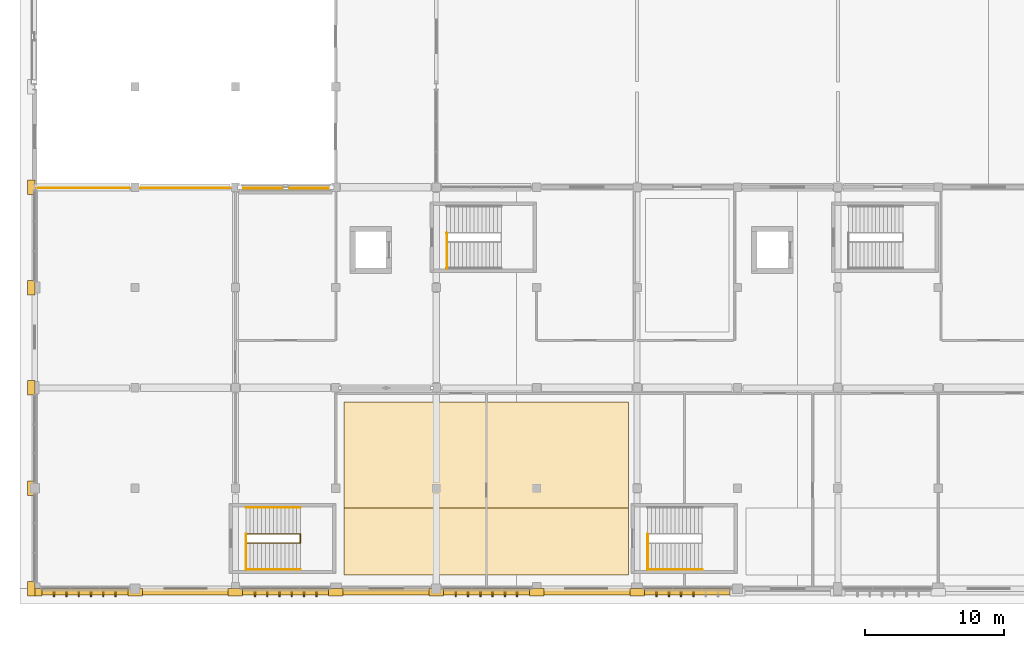
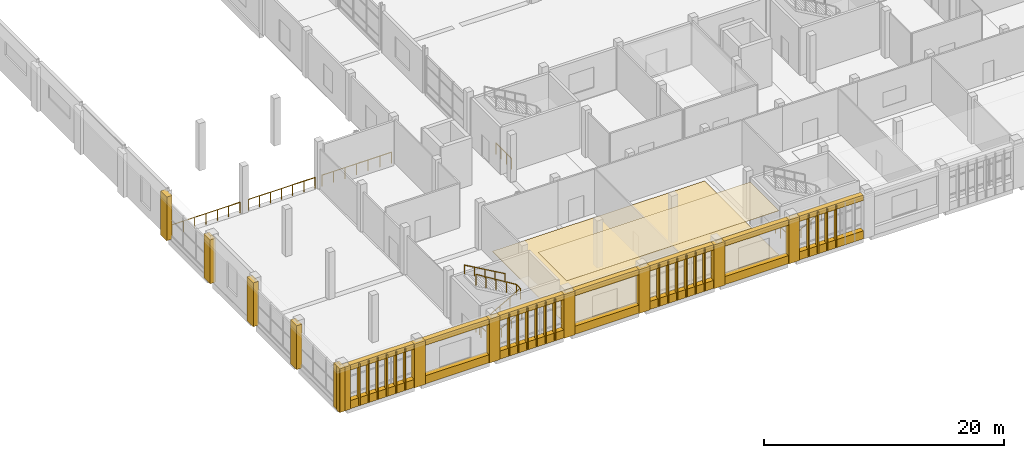
# One storey, part 68 of 82: 50 coverings, 10 railings.
"""IFC4 building model written with IfcOpenShell, lengths in metres."""

from ifc_helpers import new_model, si_unit, direction, frame, origin, origin_2d, place, context, subcontext, project, spatial, polyline, rectangle, circle, outline, extrude, material, layer, layer_set, type_object, element, save


model = new_model("IFC4")

# Units and contexts
model_context = context("Model", 3, precision=1e-05, world=origin(), true_north=direction((0.0, 1.0)))
body_context = subcontext(model_context, "Body", "Model", "MODEL_VIEW")
ifc_project = project(units=[si_unit("LENGTHUNIT", "METRE"), si_unit("AREAUNIT", "SQUARE_METRE"), si_unit("VOLUMEUNIT", "CUBIC_METRE"), si_unit("PLANEANGLEUNIT", "RADIAN"), si_unit("MASSUNIT", "GRAM", prefix="KILO")], contexts=[model_context])

# Site, building, storey
site_placement = place(None, origin())
site = spatial("IfcSite", under=ifc_project, at=site_placement, CompositionType="ELEMENT")
building_placement = place(site_placement, origin())
building = spatial("IfcBuilding", under=site, at=building_placement, Name="Sardonyx Promenade Sports Hall", CompositionType="ELEMENT")
storey_placement = place(building_placement, frame((0.0, 0.0, 11.199951171875)))
storey = spatial("IfcBuildingStorey", under=building, at=storey_placement, Name="L02", CompositionType="ELEMENT", Elevation=11.199951171875)

# Coverings
ifc_material_1 = material(Name="Perforated acoustic mineral-fibre baffle ceiling", Category="other")
ifc_layer_1 = layer(ifc_material_1, 0.0400390625)
ifc_layer_set_1 = layer_set([ifc_layer_1], Name="Cov_Ceil_Acoustic")
covering_type_1 = type_object("IfcCoveringType", Name="Cov_Ceil_Acoustic", PredefinedType="CEILING", material=ifc_layer_set_1)
covering_1_placement = place(storey_placement, frame((0.0, 0.0, 4.489990234375)))
element("IfcCovering", 1, at=covering_1_placement, inside=storey, type_object=covering_type_1, Name="Acoustic baffle ceiling CLG1 L02 #15", PredefinedType="CEILING", context=body_context, shape_type="SweptSolid", body=[
    extrude(outline(polyline([(22.199951171875, 5.800048828125), (22.199951171875, 1.0), (42.60009765625, 1.0), (42.60009765625, 5.800048828125), (22.199951171875, 5.800048828125)])), origin(), (0.0, 0.0, 1.0), 0.0400390625),
])
ifc_material_2 = material(Name="Dressed Cape red sandstone ashlar", Category="masonry")
ifc_layer_2 = layer(ifc_material_2, 0.06005859375)
ifc_layer_set_2 = layer_set([ifc_layer_2], Name="Cov_Cladding_Sandstone")
covering_type_2 = type_object("IfcCoveringType", Name="Cov_Cladding_Sandstone", PredefinedType="CLADDING", material=ifc_layer_set_2)
covering_2_placement = place(storey_placement, origin())
element("IfcCovering", 2, at=covering_2_placement, inside=storey, type_object=covering_type_2, Name="South sandstone bay pier casing L02 #0", PredefinedType="CLADDING", context=body_context, shape_type="SweptSolid", body=[
    extrude(outline(polyline([(-0.52001953125, -0.52001953125), (0.52001953125, -0.52001953125), (0.52001953125, 0.02001953125), (-0.52001953125, 0.02001953125), (-0.52001953125, -0.52001953125)])), origin(), (0.0, 0.0, 1.0), 4.449951171875),
])
covering_3_placement = place(storey_placement, origin())
element("IfcCovering", 3, at=covering_3_placement, inside=storey, type_object=covering_type_2, Name="South sandstone bay pier casing L02 #1", PredefinedType="CLADDING", context=body_context, shape_type="SweptSolid", body=[
    extrude(outline(polyline([(6.679931640625, -0.52001953125), (7.719970703125, -0.52001953125), (7.719970703125, 0.02001953125), (6.679931640625, 0.02001953125), (6.679931640625, -0.52001953125)])), origin(), (0.0, 0.0, 1.0), 4.449951171875),
])
covering_4_placement = place(storey_placement, origin())
element("IfcCovering", 4, at=covering_4_placement, inside=storey, type_object=covering_type_2, Name="South sandstone bay pier casing L02 #2", PredefinedType="CLADDING", context=body_context, shape_type="SweptSolid", body=[
    extrude(outline(polyline([(13.8798828125, -0.52001953125), (14.919921875, -0.52001953125), (14.919921875, 0.02001953125), (13.8798828125, 0.02001953125), (13.8798828125, -0.52001953125)])), origin(), (0.0, 0.0, 1.0), 4.449951171875),
])
covering_5_placement = place(storey_placement, origin())
element("IfcCovering", 5, at=covering_5_placement, inside=storey, type_object=covering_type_2, Name="South sandstone bay pier casing L02 #3", PredefinedType="CLADDING", context=body_context, shape_type="SweptSolid", body=[
    extrude(outline(polyline([(21.080078125, -0.52001953125), (22.1201171875, -0.52001953125), (22.1201171875, 0.02001953125), (21.080078125, 0.02001953125), (21.080078125, -0.52001953125)])), origin(), (0.0, 0.0, 1.0), 4.449951171875),
])
covering_6_placement = place(storey_placement, origin())
element("IfcCovering", 6, at=covering_6_placement, inside=storey, type_object=covering_type_2, Name="South sandstone bay pier casing L02 #4", PredefinedType="CLADDING", context=body_context, shape_type="SweptSolid", body=[
    extrude(outline(polyline([(28.280029296875, -0.52001953125), (29.320068359375, -0.52001953125), (29.320068359375, 0.02001953125), (28.280029296875, 0.02001953125), (28.280029296875, -0.52001953125)])), origin(), (0.0, 0.0, 1.0), 4.449951171875),
])
covering_7_placement = place(storey_placement, origin())
element("IfcCovering", 7, at=covering_7_placement, inside=storey, type_object=covering_type_2, Name="South sandstone bay pier casing L02 #5", PredefinedType="CLADDING", context=body_context, shape_type="SweptSolid", body=[
    extrude(outline(polyline([(35.47998046875, -0.52001953125), (36.52001953125, -0.52001953125), (36.52001953125, 0.02001953125), (35.47998046875, 0.02001953125), (35.47998046875, -0.52001953125)])), origin(), (0.0, 0.0, 1.0), 4.449951171875),
])
covering_8_placement = place(storey_placement, origin())
element("IfcCovering", 8, at=covering_8_placement, inside=storey, type_object=covering_type_2, Name="South sandstone bay pier casing L02 #6", PredefinedType="CLADDING", context=body_context, shape_type="SweptSolid", body=[
    extrude(outline(polyline([(42.679931640625, -0.52001953125), (43.719970703125, -0.52001953125), (43.719970703125, 0.02001953125), (42.679931640625, 0.02001953125), (42.679931640625, -0.52001953125)])), origin(), (0.0, 0.0, 1.0), 4.449951171875),
])
covering_9_placement = place(storey_placement, origin())
element("IfcCovering", 9, at=covering_9_placement, inside=storey, type_object=covering_type_2, Name="South sandstone sill spandrel L02 #16", PredefinedType="CLADDING", context=body_context, shape_type="SweptSolid", body=[
    extrude(outline(polyline([(43.719970703125, -0.4599609375), (49.8798828125, -0.4599609375), (49.8798828125, 0.02001953125), (43.719970703125, 0.02001953125), (43.719970703125, -0.4599609375)])), origin(), (0.0, 0.0, 1.0), 0.820068359375),
])
covering_10_placement = place(storey_placement, frame((0.0, 0.0, 3.900146484375)))
element("IfcCovering", 10, at=covering_10_placement, inside=storey, type_object=covering_type_2, Name="South sandstone lintel frieze L02 #16", PredefinedType="CLADDING", context=body_context, shape_type="SweptSolid", body=[
    extrude(outline(polyline([(43.719970703125, -0.4599609375), (49.8798828125, -0.4599609375), (49.8798828125, 0.02001953125), (43.719970703125, 0.02001953125), (43.719970703125, -0.4599609375)])), origin(), (0.0, 0.0, 1.0), 0.5498046875),
])
covering_11_placement = place(storey_placement, origin())
element("IfcCovering", 11, at=covering_11_placement, inside=storey, type_object=covering_type_2, Name="South sandstone sill spandrel L02 #17", PredefinedType="CLADDING", context=body_context, shape_type="SweptSolid", body=[
    extrude(outline(polyline([(36.52001953125, -0.4599609375), (42.679931640625, -0.4599609375), (42.679931640625, 0.02001953125), (36.52001953125, 0.02001953125), (36.52001953125, -0.4599609375)])), origin(), (0.0, 0.0, 1.0), 0.820068359375),
])
covering_12_placement = place(storey_placement, frame((0.0, 0.0, 3.900146484375)))
element("IfcCovering", 12, at=covering_12_placement, inside=storey, type_object=covering_type_2, Name="South sandstone lintel frieze L02 #17", PredefinedType="CLADDING", context=body_context, shape_type="SweptSolid", body=[
    extrude(outline(polyline([(36.52001953125, -0.4599609375), (42.679931640625, -0.4599609375), (42.679931640625, 0.02001953125), (36.52001953125, 0.02001953125), (36.52001953125, -0.4599609375)])), origin(), (0.0, 0.0, 1.0), 0.5498046875),
])
covering_13_placement = place(storey_placement, origin())
element("IfcCovering", 13, at=covering_13_placement, inside=storey, type_object=covering_type_2, Name="South sandstone sill spandrel L02 #18", PredefinedType="CLADDING", context=body_context, shape_type="SweptSolid", body=[
    extrude(outline(polyline([(29.320068359375, -0.4599609375), (35.47998046875, -0.4599609375), (35.47998046875, 0.02001953125), (29.320068359375, 0.02001953125), (29.320068359375, -0.4599609375)])), origin(), (0.0, 0.0, 1.0), 0.820068359375),
])
covering_14_placement = place(storey_placement, frame((0.0, 0.0, 3.900146484375)))
element("IfcCovering", 14, at=covering_14_placement, inside=storey, type_object=covering_type_2, Name="South sandstone lintel frieze L02 #18", PredefinedType="CLADDING", context=body_context, shape_type="SweptSolid", body=[
    extrude(outline(polyline([(29.320068359375, -0.4599609375), (35.47998046875, -0.4599609375), (35.47998046875, 0.02001953125), (29.320068359375, 0.02001953125), (29.320068359375, -0.4599609375)])), origin(), (0.0, 0.0, 1.0), 0.5498046875),
])
covering_15_placement = place(storey_placement, origin())
element("IfcCovering", 15, at=covering_15_placement, inside=storey, type_object=covering_type_2, Name="South sandstone sill spandrel L02 #19", PredefinedType="CLADDING", context=body_context, shape_type="SweptSolid", body=[
    extrude(outline(polyline([(22.1201171875, -0.4599609375), (28.280029296875, -0.4599609375), (28.280029296875, 0.02001953125), (22.1201171875, 0.02001953125), (22.1201171875, -0.4599609375)])), origin(), (0.0, 0.0, 1.0), 0.820068359375),
])
covering_16_placement = place(storey_placement, frame((0.0, 0.0, 3.900146484375)))
element("IfcCovering", 16, at=covering_16_placement, inside=storey, type_object=covering_type_2, Name="South sandstone lintel frieze L02 #19", PredefinedType="CLADDING", context=body_context, shape_type="SweptSolid", body=[
    extrude(outline(polyline([(22.1201171875, -0.4599609375), (28.280029296875, -0.4599609375), (28.280029296875, 0.02001953125), (22.1201171875, 0.02001953125), (22.1201171875, -0.4599609375)])), origin(), (0.0, 0.0, 1.0), 0.5498046875),
])
covering_17_placement = place(storey_placement, origin())
element("IfcCovering", 17, at=covering_17_placement, inside=storey, type_object=covering_type_2, Name="South sandstone sill spandrel L02 #20", PredefinedType="CLADDING", context=body_context, shape_type="SweptSolid", body=[
    extrude(outline(polyline([(14.919921875, -0.4599609375), (21.080078125, -0.4599609375), (21.080078125, 0.02001953125), (14.919921875, 0.02001953125), (14.919921875, -0.4599609375)])), origin(), (0.0, 0.0, 1.0), 0.820068359375),
])
covering_18_placement = place(storey_placement, frame((0.0, 0.0, 3.900146484375)))
element("IfcCovering", 18, at=covering_18_placement, inside=storey, type_object=covering_type_2, Name="South sandstone lintel frieze L02 #20", PredefinedType="CLADDING", context=body_context, shape_type="SweptSolid", body=[
    extrude(outline(polyline([(14.919921875, -0.4599609375), (21.080078125, -0.4599609375), (21.080078125, 0.02001953125), (14.919921875, 0.02001953125), (14.919921875, -0.4599609375)])), origin(), (0.0, 0.0, 1.0), 0.5498046875),
])
covering_19_placement = place(storey_placement, origin())
element("IfcCovering", 19, at=covering_19_placement, inside=storey, type_object=covering_type_2, Name="South sandstone sill spandrel L02 #21", PredefinedType="CLADDING", context=body_context, shape_type="SweptSolid", body=[
    extrude(outline(polyline([(7.719970703125, -0.4599609375), (13.8798828125, -0.4599609375), (13.8798828125, 0.02001953125), (7.719970703125, 0.02001953125), (7.719970703125, -0.4599609375)])), origin(), (0.0, 0.0, 1.0), 0.820068359375),
])
covering_20_placement = place(storey_placement, frame((0.0, 0.0, 3.900146484375)))
element("IfcCovering", 20, at=covering_20_placement, inside=storey, type_object=covering_type_2, Name="South sandstone lintel frieze L02 #21", PredefinedType="CLADDING", context=body_context, shape_type="SweptSolid", body=[
    extrude(outline(polyline([(7.719970703125, -0.4599609375), (13.8798828125, -0.4599609375), (13.8798828125, 0.02001953125), (7.719970703125, 0.02001953125), (7.719970703125, -0.4599609375)])), origin(), (0.0, 0.0, 1.0), 0.5498046875),
])
covering_21_placement = place(storey_placement, origin())
element("IfcCovering", 21, at=covering_21_placement, inside=storey, type_object=covering_type_2, Name="South sandstone sill spandrel L02 #22", PredefinedType="CLADDING", context=body_context, shape_type="SweptSolid", body=[
    extrude(outline(polyline([(0.52001953125, -0.4599609375), (6.679931640625, -0.4599609375), (6.679931640625, 0.02001953125), (0.52001953125, 0.02001953125), (0.52001953125, -0.4599609375)])), origin(), (0.0, 0.0, 1.0), 0.820068359375),
])
covering_22_placement = place(storey_placement, frame((0.0, 0.0, 3.900146484375)))
element("IfcCovering", 22, at=covering_22_placement, inside=storey, type_object=covering_type_2, Name="South sandstone lintel frieze L02 #22", PredefinedType="CLADDING", context=body_context, shape_type="SweptSolid", body=[
    extrude(outline(polyline([(0.52001953125, -0.4599609375), (6.679931640625, -0.4599609375), (6.679931640625, 0.02001953125), (0.52001953125, 0.02001953125), (0.52001953125, -0.4599609375)])), origin(), (0.0, 0.0, 1.0), 0.5498046875),
])
covering_23_placement = place(storey_placement, origin())
element("IfcCovering", 23, at=covering_23_placement, inside=storey, type_object=covering_type_2, Name="West sandstone pier casing L02 #0", PredefinedType="CLADDING", context=body_context, shape_type="SweptSolid", body=[
    extrude(outline(polyline([(-0.5, -0.52001953125), (0.02001953125, -0.52001953125), (0.02001953125, 0.52001953125), (-0.5, 0.52001953125), (-0.5, -0.52001953125)])), origin(), (0.0, 0.0, 1.0), 4.449951171875),
])
covering_24_placement = place(storey_placement, origin())
element("IfcCovering", 24, at=covering_24_placement, inside=storey, type_object=covering_type_2, Name="West sandstone pier casing L02 #1", PredefinedType="CLADDING", context=body_context, shape_type="SweptSolid", body=[
    extrude(outline(polyline([(-0.5, 6.679931640625), (0.02001953125, 6.679931640625), (0.02001953125, 7.719970703125), (-0.5, 7.719970703125), (-0.5, 6.679931640625)])), origin(), (0.0, 0.0, 1.0), 4.449951171875),
])
covering_25_placement = place(storey_placement, origin())
element("IfcCovering", 25, at=covering_25_placement, inside=storey, type_object=covering_type_2, Name="West sandstone pier casing L02 #2", PredefinedType="CLADDING", context=body_context, shape_type="SweptSolid", body=[
    extrude(outline(polyline([(-0.5, 13.8798828125), (0.02001953125, 13.8798828125), (0.02001953125, 14.919921875), (-0.5, 14.919921875), (-0.5, 13.8798828125)])), origin(), (0.0, 0.0, 1.0), 4.449951171875),
])
covering_26_placement = place(storey_placement, origin())
element("IfcCovering", 26, at=covering_26_placement, inside=storey, type_object=covering_type_2, Name="West sandstone pier casing L02 #3", PredefinedType="CLADDING", context=body_context, shape_type="SweptSolid", body=[
    extrude(outline(polyline([(-0.5, 21.080078125), (0.02001953125, 21.080078125), (0.02001953125, 22.1201171875), (-0.5, 22.1201171875), (-0.5, 21.080078125)])), origin(), (0.0, 0.0, 1.0), 4.449951171875),
])
covering_27_placement = place(storey_placement, origin())
element("IfcCovering", 27, at=covering_27_placement, inside=storey, type_object=covering_type_2, Name="West sandstone pier casing L02 #4", PredefinedType="CLADDING", context=body_context, shape_type="SweptSolid", body=[
    extrude(outline(polyline([(-0.5, 28.280029296875), (0.02001953125, 28.280029296875), (0.02001953125, 29.320068359375), (-0.5, 29.320068359375), (-0.5, 28.280029296875)])), origin(), (0.0, 0.0, 1.0), 4.449951171875),
])
ifc_material_3 = material(Name="EPDM polymeric athletic surfacing", Category="other")
ifc_layer_3 = layer(ifc_material_3, 0.02490234375)
ifc_layer_set_3 = layer_set([ifc_layer_3], Name="Cov_Floor_Athletic")
covering_type_3 = type_object("IfcCoveringType", Name="Cov_Floor_Athletic", PredefinedType="FLOORING", material=ifc_layer_set_3)
covering_28_placement = place(storey_placement, origin())
element("IfcCovering", 28, at=covering_28_placement, inside=storey, type_object=covering_type_3, Name="Athletic flooring FLR2 L02 #19", PredefinedType="FLOORING", context=body_context, shape_type="SweptSolid", body=[
    extrude(outline(polyline([(22.199951171875, 1.0), (42.60009765625, 1.0), (42.60009765625, 13.39990234375), (22.199951171875, 13.39990234375), (22.199951171875, 1.0)])), origin(), (0.0, 0.0, 1.0), 0.025146484375),
])
ifc_material_4 = material(Name="Glulam GL28h", Category="wood")
ifc_layer_4 = layer(ifc_material_4, 0.110107421875)
ifc_layer_set_4 = layer_set([ifc_layer_4], Name="Cov_Louvre_GL28h")
covering_type_4 = type_object("IfcCoveringType", Name="Cov_Louvre_GL28h", PredefinedType="MOLDING", material=ifc_layer_set_4)
for number, where, z_axis, x_axis, name in (
    (29, (44.60009765625, -0.3798828125, 0.10009765625), (0.0, 0.0, 1.0), (1.0, 0.0, 0.0), "Mughal jali screen mullion L02 #16-1"),
    (30, (45.47998046875, -0.3798828125, 0.10009765625), (0.0, 0.0, 1.0), (1.0, 0.0, 0.0), "Mughal jali screen mullion L02 #16-2"),
    (31, (46.360107421875, -0.3798828125, 0.10009765625), (0.0, 0.0, 1.0), (1.0, 0.0, 0.0), "Mughal jali screen mullion L02 #16-3"),
    (32, (47.239990234375, -0.3798828125, 0.10009765625), (0.0, 0.0, 1.0), (1.0, 0.0, 0.0), "Mughal jali screen mullion L02 #16-4"),
    (33, (30.199951171875, -0.3798828125, 0.10009765625), (0.0, 0.0, 1.0), (1.0, 0.0, 0.0), "Mughal jali screen mullion L02 #18-1"),
    (34, (31.080078125, -0.3798828125, 0.10009765625), (0.0, 0.0, 1.0), (1.0, 0.0, 0.0), "Mughal jali screen mullion L02 #18-2"),
    (35, (31.9599609375, -0.3798828125, 0.10009765625), (0.0, 0.0, 1.0), (1.0, 0.0, 0.0), "Mughal jali screen mullion L02 #18-3"),
    (36, (32.840087890625, -0.3798828125, 0.10009765625), (0.0, 0.0, 1.0), (1.0, 0.0, 0.0), "Mughal jali screen mullion L02 #18-4"),
    (37, (33.719970703125, -0.3798828125, 0.10009765625), (0.0, 0.0, 1.0), (1.0, 0.0, 0.0), "Mughal jali screen mullion L02 #18-5"),
    (38, (34.60009765625, -0.3798828125, 0.10009765625), (0.0, 0.0, 1.0), (1.0, 0.0, 0.0), "Mughal jali screen mullion L02 #18-6"),
    (39, (15.800048828125, -0.3798828125, 0.10009765625), (0.0, 0.0, 1.0), (1.0, 0.0, 0.0), "Mughal jali screen mullion L02 #20-1"),
    (40, (16.679931640625, -0.3798828125, 0.10009765625), (0.0, 0.0, 1.0), (1.0, 0.0, 0.0), "Mughal jali screen mullion L02 #20-2"),
    (41, (17.56005859375, -0.3798828125, 0.10009765625), (0.0, 0.0, 1.0), (1.0, 0.0, 0.0), "Mughal jali screen mullion L02 #20-3"),
    (42, (18.43994140625, -0.3798828125, 0.10009765625), (0.0, 0.0, 1.0), (1.0, 0.0, 0.0), "Mughal jali screen mullion L02 #20-4"),
    (43, (19.320068359375, -0.3798828125, 0.10009765625), (0.0, 0.0, 1.0), (1.0, 0.0, 0.0), "Mughal jali screen mullion L02 #20-5"),
    (44, (20.199951171875, -0.3798828125, 0.10009765625), (0.0, 0.0, 1.0), (1.0, 0.0, 0.0), "Mughal jali screen mullion L02 #20-6"),
    (45, (1.39990234375, -0.3798828125, 0.10009765625), (0.0, 0.0, 1.0), (1.0, 0.0, 0.0), "Mughal jali screen mullion L02 #22-1"),
    (46, (2.280029296875, -0.3798828125, 0.10009765625), (0.0, 0.0, 1.0), (1.0, 0.0, 0.0), "Mughal jali screen mullion L02 #22-2"),
    (47, (3.159912109375, -0.3798828125, 0.10009765625), (0.0, 0.0, 1.0), (1.0, 0.0, 0.0), "Mughal jali screen mullion L02 #22-3"),
    (48, (4.0400390625, -0.3798828125, 0.10009765625), (0.0, 0.0, 1.0), (1.0, 0.0, 0.0), "Mughal jali screen mullion L02 #22-4"),
    (49, (4.919921875, -0.3798828125, 0.10009765625), (0.0, 0.0, 1.0), (1.0, 0.0, 0.0), "Mughal jali screen mullion L02 #22-5"),
    (50, (5.800048828125, -0.3798828125, 0.10009765625), (0.0, 0.0, 1.0), (1.0, 0.0, 0.0), "Mughal jali screen mullion L02 #22-6"),
):
    element("IfcCovering", number, at=place(storey_placement, frame(where, z_axis=z_axis, x_axis=x_axis)), inside=storey, type_object=covering_type_4, Name=name, PredefinedType="MOLDING", context=body_context, shape_type="SweptSolid", body=[
        extrude(rectangle(XDim=0.10009765625, YDim=0.360107421875, at=origin_2d()), origin(), (0.0, 0.0, 1.0), 4.25),
    ])

# Railings
ifc_material_5 = material(Name="Powder-coated Steel S355JR", Category="steel")
railing_type_1 = type_object("IfcRailingType", Name="Rail_Int_Guard_1100", PredefinedType="GUARDRAIL", material=ifc_material_5)
railing_1_placement = place(storey_placement, frame((29.56005859375, 22.945068359375, 0.0)))
element("IfcRailing", 51, at=railing_1_placement, inside=storey, type_object=railing_type_1, Name="Stair floor-edge guard ST1 L02", PredefinedType="GUARDRAIL", context=body_context, shape_type="SweptSolid", body=[
    extrude(circle(Radius=0.02392578125, at=origin_2d()), frame((0.0, 0.0, 1.09619140625), z_axis=(0.0, 1.0, 0.0), x_axis=(-1.0, 0.0, 0.0)), (0.0, 0.0, 1.0), 2.56982421875),
    extrude(circle(Radius=0.02392578125, at=origin_2d()), frame((0.0, 2.56982421875, 1.09619140625), z_axis=(-1.0, 0.0, 0.0), x_axis=(0.0, -1.0, 0.0)), (0.0, 0.0, 1.0), 0.010009765625),
    extrude(circle(Radius=0.02099609375, at=origin_2d()), origin(), (0.0, 0.0, 1.0), 1.072021484375),
    extrude(circle(Radius=0.02099609375, at=origin_2d()), frame((0.0, 0.856689453125, 0.0)), (0.0, 0.0, 1.0), 1.072021484375),
    extrude(circle(Radius=0.02099609375, at=origin_2d()), frame((0.0, 1.713134765625, 0.0)), (0.0, 0.0, 1.0), 1.072021484375),
    extrude(circle(Radius=0.02099609375, at=origin_2d()), frame((0.0, 2.56982421875, 0.0)), (0.0, 0.0, 1.0), 1.072021484375),
    extrude(circle(Radius=0.02099609375, at=origin_2d()), frame((-0.010009765625, 2.56982421875, 0.0)), (0.0, 0.0, 1.0), 1.072021484375),
])
railing_2_placement = place(storey_placement, frame((15.159912109375, 1.344970703125, 0.0)))
element("IfcRailing", 52, at=railing_2_placement, inside=storey, type_object=railing_type_1, Name="Stair floor-edge guard ST5 L02", PredefinedType="GUARDRAIL", context=body_context, shape_type="SweptSolid", body=[
    extrude(circle(Radius=0.02392578125, at=origin_2d()), frame((0.0, 0.0, 1.09619140625), z_axis=(0.0, 1.0, 0.0), x_axis=(-1.0, 0.0, 0.0)), (0.0, 0.0, 1.0), 2.570068359375),
    extrude(circle(Radius=0.02392578125, at=origin_2d()), frame((0.0, 2.570068359375, 1.09619140625), z_axis=(-1.0, 0.0, 0.0), x_axis=(0.0, -1.0, 0.0)), (0.0, 0.0, 1.0), 0.010009765625),
    extrude(circle(Radius=0.02099609375, at=origin_2d()), origin(), (0.0, 0.0, 1.0), 1.072021484375),
    extrude(circle(Radius=0.02099609375, at=origin_2d()), frame((0.0, 0.856689453125, 0.0)), (0.0, 0.0, 1.0), 1.072021484375),
    extrude(circle(Radius=0.02099609375, at=origin_2d()), frame((0.0, 1.71337890625, 0.0)), (0.0, 0.0, 1.0), 1.072021484375),
    extrude(circle(Radius=0.02099609375, at=origin_2d()), frame((0.0, 2.570068359375, 0.0)), (0.0, 0.0, 1.0), 1.072021484375),
    extrude(circle(Radius=0.02099609375, at=origin_2d()), frame((-0.010009765625, 2.570068359375, 0.0)), (0.0, 0.0, 1.0), 1.072021484375),
])
railing_3_placement = place(storey_placement, frame((15.14990234375, 3.284912109375, 0.16015625)))
element("IfcRailing", 53, at=railing_3_placement, inside=storey, type_object=railing_type_1, Name="Stair inner well guard ST5 L02", PredefinedType="GUARDRAIL", context=body_context, shape_type="SweptSolid", body=[
    extrude(circle(Radius=0.02392578125, at=origin_2d()), frame((0.0, 0.0, 1.09619140625), z_axis=(0.867155422901, 0.0, 0.498037621604), x_axis=(0.0, 1.0, 0.0)), (0.0, 0.0, 1.0), 4.49755859375),
    extrude(circle(Radius=0.02392578125, at=origin_2d()), frame((3.900146484375, 0.0, 3.3359375), z_axis=(0.0, 1.0, 0.0), x_axis=(-1.0, 0.0, 0.0)), (0.0, 0.0, 1.0), 0.630126953125),
    extrude(circle(Radius=0.02392578125, at=origin_2d()), frame((3.900146484375, 0.630126953125, 3.3359375), z_axis=(-0.851676621109, 0.0, 0.524067679844), x_axis=(0.0, -1.0, 0.0)), (0.0, 0.0, 1.0), 4.579345703125),
    extrude(circle(Radius=0.02099609375, at=origin_2d()), origin(), (0.0, 0.0, 1.0), 1.072021484375),
    extrude(circle(Radius=0.02099609375, at=origin_2d()), frame((0.97509765625, 0.0, 0.56005859375)), (0.0, 0.0, 1.0), 1.072021484375),
    extrude(circle(Radius=0.02099609375, at=origin_2d()), frame((1.9501953125, 0.0, 1.1201171875)), (0.0, 0.0, 1.0), 1.072021484375),
    extrude(circle(Radius=0.02099609375, at=origin_2d()), frame((2.925048828125, 0.0, 1.679931640625)), (0.0, 0.0, 1.0), 1.072021484375),
    extrude(circle(Radius=0.02099609375, at=origin_2d()), frame((3.900146484375, 0.0, 2.239990234375)), (0.0, 0.0, 1.0), 1.072021484375),
    extrude(circle(Radius=0.02099609375, at=origin_2d()), frame((3.900146484375, 0.630126953125, 2.239990234375)), (0.0, 0.0, 1.0), 1.072021484375),
    extrude(circle(Radius=0.02099609375, at=origin_2d()), frame((2.925048828125, 0.630126953125, 2.83984375)), (0.0, 0.0, 1.0), 1.072021484375),
    extrude(circle(Radius=0.02099609375, at=origin_2d()), frame((1.9501953125, 0.630126953125, 3.43994140625)), (0.0, 0.0, 1.0), 1.072021484375),
    extrude(circle(Radius=0.02099609375, at=origin_2d()), frame((0.97509765625, 0.630126953125, 4.0400390625)), (0.0, 0.0, 1.0), 1.072021484375),
    extrude(circle(Radius=0.02099609375, at=origin_2d()), frame((0.0, 0.630126953125, 4.639892578125)), (0.0, 0.0, 1.0), 1.072021484375),
])
railing_4_placement = place(storey_placement, frame((43.9599609375, 1.344970703125, 0.0)))
element("IfcRailing", 54, at=railing_4_placement, inside=storey, type_object=railing_type_1, Name="Stair floor-edge guard ST6 L02", PredefinedType="GUARDRAIL", context=body_context, shape_type="SweptSolid", body=[
    extrude(circle(Radius=0.02392578125, at=origin_2d()), frame((0.0, 0.0, 1.09619140625), z_axis=(0.0, 1.0, 0.0), x_axis=(-1.0, 0.0, 0.0)), (0.0, 0.0, 1.0), 2.570068359375),
    extrude(circle(Radius=0.02392578125, at=origin_2d()), frame((0.0, 2.570068359375, 1.09619140625), z_axis=(-1.0, 0.0, 0.0), x_axis=(0.0, -1.0, 0.0)), (0.0, 0.0, 1.0), 0.010009765625),
    extrude(circle(Radius=0.02099609375, at=origin_2d()), origin(), (0.0, 0.0, 1.0), 1.072021484375),
    extrude(circle(Radius=0.02099609375, at=origin_2d()), frame((0.0, 0.856689453125, 0.0)), (0.0, 0.0, 1.0), 1.072021484375),
    extrude(circle(Radius=0.02099609375, at=origin_2d()), frame((0.0, 1.71337890625, 0.0)), (0.0, 0.0, 1.0), 1.072021484375),
    extrude(circle(Radius=0.02099609375, at=origin_2d()), frame((0.0, 2.570068359375, 0.0)), (0.0, 0.0, 1.0), 1.072021484375),
    extrude(circle(Radius=0.02099609375, at=origin_2d()), frame((-0.010009765625, 2.570068359375, 0.0)), (0.0, 0.0, 1.0), 1.072021484375),
])
railing_5_placement = place(storey_placement, frame((14.659912109375, 28.719970703125, 0.0)))
element("IfcRailing", 55, at=railing_5_placement, inside=storey, type_object=railing_type_1, Name="Deck-edge guardrail GR02 L02 GridE-3-4", PredefinedType="GUARDRAIL", context=body_context, shape_type="SweptSolid", body=[
    extrude(circle(Radius=0.02392578125, at=origin_2d()), frame((0.0, 0.0, 1.09619140625), z_axis=(1.0, 0.0, 0.0), x_axis=(0.0, 1.0, 0.0)), (0.0, 0.0, 1.0), 6.68017578125),
    extrude(circle(Radius=0.02099609375, at=origin_2d()), origin(), (0.0, 0.0, 1.0), 1.072021484375),
    extrude(circle(Radius=0.02099609375, at=origin_2d()), frame((1.11328125, 0.0, 0.0)), (0.0, 0.0, 1.0), 1.072021484375),
    extrude(circle(Radius=0.02099609375, at=origin_2d()), frame((2.226806640625, 0.0, 0.0)), (0.0, 0.0, 1.0), 1.072021484375),
    extrude(circle(Radius=0.02099609375, at=origin_2d()), frame((3.340087890625, 0.0, 0.0)), (0.0, 0.0, 1.0), 1.072021484375),
    extrude(circle(Radius=0.02099609375, at=origin_2d()), frame((4.453369140625, 0.0, 0.0)), (0.0, 0.0, 1.0), 1.072021484375),
    extrude(circle(Radius=0.02099609375, at=origin_2d()), frame((5.56689453125, 0.0, 0.0)), (0.0, 0.0, 1.0), 1.072021484375),
    extrude(circle(Radius=0.02099609375, at=origin_2d()), frame((6.68017578125, 0.0, 0.0)), (0.0, 0.0, 1.0), 1.072021484375),
])
railing_6_placement = place(storey_placement, frame((14.0, 28.72998046875, 0.0)))
element("IfcRailing", 56, at=railing_6_placement, inside=storey, type_object=railing_type_1, Name="Deck-edge guardrail GR02 L02 #50", PredefinedType="GUARDRAIL", context=body_context, shape_type="SweptSolid", body=[
    extrude(circle(Radius=0.02392578125, at=origin_2d()), frame((0.0, 0.0, 1.09619140625), z_axis=(-1.0, 0.0, 0.0), x_axis=(0.0, -1.0, 0.0)), (0.0, 0.0, 1.0), 6.39990234375),
    extrude(circle(Radius=0.02099609375, at=origin_2d()), origin(), (0.0, 0.0, 1.0), 1.072021484375),
    extrude(circle(Radius=0.02099609375, at=origin_2d()), frame((-1.066650390625, 0.0, 0.0)), (0.0, 0.0, 1.0), 1.072021484375),
    extrude(circle(Radius=0.02099609375, at=origin_2d()), frame((-2.13330078125, 0.0, 0.0)), (0.0, 0.0, 1.0), 1.072021484375),
    extrude(circle(Radius=0.02099609375, at=origin_2d()), frame((-3.199951171875, 0.0, 0.0)), (0.0, 0.0, 1.0), 1.072021484375),
    extrude(circle(Radius=0.02099609375, at=origin_2d()), frame((-4.2666015625, 0.0, 0.0)), (0.0, 0.0, 1.0), 1.072021484375),
    extrude(circle(Radius=0.02099609375, at=origin_2d()), frame((-5.333251953125, 0.0, 0.0)), (0.0, 0.0, 1.0), 1.072021484375),
    extrude(circle(Radius=0.02099609375, at=origin_2d()), frame((-6.39990234375, 0.0, 0.0)), (0.0, 0.0, 1.0), 1.072021484375),
])
railing_7_placement = place(storey_placement, frame((6.800048828125, 28.72998046875, 0.0)))
element("IfcRailing", 57, at=railing_7_placement, inside=storey, type_object=railing_type_1, Name="Deck-edge guardrail GR02 L02 #51", PredefinedType="GUARDRAIL", context=body_context, shape_type="SweptSolid", body=[
    extrude(circle(Radius=0.02392578125, at=origin_2d()), frame((0.0, 0.0, 1.09619140625), z_axis=(-1.0, 0.0, 0.0), x_axis=(0.0, -1.0, 0.0)), (0.0, 0.0, 1.0), 6.550048828125),
    extrude(circle(Radius=0.02099609375, at=origin_2d()), origin(), (0.0, 0.0, 1.0), 1.072021484375),
    extrude(circle(Radius=0.02099609375, at=origin_2d()), frame((-1.091796875, 0.0, 0.0)), (0.0, 0.0, 1.0), 1.072021484375),
    extrude(circle(Radius=0.02099609375, at=origin_2d()), frame((-2.183349609375, 0.0, 0.0)), (0.0, 0.0, 1.0), 1.072021484375),
    extrude(circle(Radius=0.02099609375, at=origin_2d()), frame((-3.27490234375, 0.0, 0.0)), (0.0, 0.0, 1.0), 1.072021484375),
    extrude(circle(Radius=0.02099609375, at=origin_2d()), frame((-4.36669921875, 0.0, 0.0)), (0.0, 0.0, 1.0), 1.072021484375),
    extrude(circle(Radius=0.02099609375, at=origin_2d()), frame((-5.45849609375, 0.0, 0.0)), (0.0, 0.0, 1.0), 1.072021484375),
    extrude(circle(Radius=0.02099609375, at=origin_2d()), frame((-6.550048828125, 0.0, 0.0)), (0.0, 0.0, 1.0), 1.072021484375),
])
ifc_material_6 = material(Name="Brushed stainless steel Grade 304", Category="steel")
railing_type_2 = type_object("IfcRailingType", Name="Rail_Int_Handrail_900", PredefinedType="HANDRAIL", material=ifc_material_6)
railing_8_placement = place(storey_placement, frame((15.14990234375, 1.375, 0.16015625)))
element("IfcRailing", 58, at=railing_8_placement, inside=storey, type_object=railing_type_2, Name="Stair handrail ST5 L02 F1", PredefinedType="HANDRAIL", context=body_context, shape_type="SweptSolid", body=[
    extrude(circle(Radius=0.02392578125, at=origin_2d()), frame((0.0, 0.0, 0.8759765625), z_axis=(0.86825312469, 0.0, 0.496121468458), x_axis=(0.0, 1.0, 0.0)), (0.0, 0.0, 1.0), 4.514892578125),
    extrude(circle(Radius=0.02099609375, at=origin_2d()), origin(), (0.0, 0.0, 1.0), 0.851806640625),
    extrude(circle(Radius=0.02099609375, at=origin_2d()), frame((0.97998046875, 0.0, 0.56005859375)), (0.0, 0.0, 1.0), 0.851806640625),
    extrude(circle(Radius=0.02099609375, at=origin_2d()), frame((1.9599609375, 0.0, 1.1201171875)), (0.0, 0.0, 1.0), 0.851806640625),
    extrude(circle(Radius=0.02099609375, at=origin_2d()), frame((2.940185546875, 0.0, 1.679931640625)), (0.0, 0.0, 1.0), 0.851806640625),
    extrude(circle(Radius=0.02099609375, at=origin_2d()), frame((3.920166015625, 0.0, 2.239990234375)), (0.0, 0.0, 1.0), 0.851806640625),
])
railing_9_placement = place(storey_placement, frame((19.070068359375, 5.824951171875, 2.56005859375)))
element("IfcRailing", 59, at=railing_9_placement, inside=storey, type_object=railing_type_2, Name="Stair handrail ST5 L02 F2", PredefinedType="HANDRAIL", context=body_context, shape_type="SweptSolid", body=[
    extrude(circle(Radius=0.02392578125, at=origin_2d()), frame((0.0, 0.0, 0.8759765625), z_axis=(-0.86825312469, 0.0, 0.496121468458), x_axis=(0.0, -1.0, 0.0)), (0.0, 0.0, 1.0), 4.514892578125),
    extrude(circle(Radius=0.02099609375, at=origin_2d()), origin(), (0.0, 0.0, 1.0), 0.851806640625),
    extrude(circle(Radius=0.02099609375, at=origin_2d()), frame((-0.97998046875, 0.0, 0.56005859375)), (0.0, 0.0, 1.0), 0.851806640625),
    extrude(circle(Radius=0.02099609375, at=origin_2d()), frame((-1.9599609375, 0.0, 1.1201171875)), (0.0, 0.0, 1.0), 0.851806640625),
    extrude(circle(Radius=0.02099609375, at=origin_2d()), frame((-2.940185546875, 0.0, 1.679931640625)), (0.0, 0.0, 1.0), 0.851806640625),
    extrude(circle(Radius=0.02099609375, at=origin_2d()), frame((-3.920166015625, 0.0, 2.239990234375)), (0.0, 0.0, 1.0), 0.851806640625),
])
railing_10_placement = place(storey_placement, frame((43.949951171875, 1.375, 0.16015625)))
element("IfcRailing", 60, at=railing_10_placement, inside=storey, type_object=railing_type_2, Name="Stair handrail ST6 L02 F1", PredefinedType="HANDRAIL", context=body_context, shape_type="SweptSolid", body=[
    extrude(circle(Radius=0.02392578125, at=origin_2d()), frame((0.0, 0.0, 0.8759765625), z_axis=(0.86825312469, 0.0, 0.496121468458), x_axis=(0.0, 1.0, 0.0)), (0.0, 0.0, 1.0), 4.514892578125),
    extrude(circle(Radius=0.02099609375, at=origin_2d()), origin(), (0.0, 0.0, 1.0), 0.851806640625),
    extrude(circle(Radius=0.02099609375, at=origin_2d()), frame((0.97998046875, 0.0, 0.56005859375)), (0.0, 0.0, 1.0), 0.851806640625),
    extrude(circle(Radius=0.02099609375, at=origin_2d()), frame((1.9599609375, 0.0, 1.1201171875)), (0.0, 0.0, 1.0), 0.851806640625),
    extrude(circle(Radius=0.02099609375, at=origin_2d()), frame((2.940185546875, 0.0, 1.679931640625)), (0.0, 0.0, 1.0), 0.851806640625),
    extrude(circle(Radius=0.02099609375, at=origin_2d()), frame((3.920166015625, 0.0, 2.239990234375)), (0.0, 0.0, 1.0), 0.851806640625),
])

save(model, "model.ifc")
